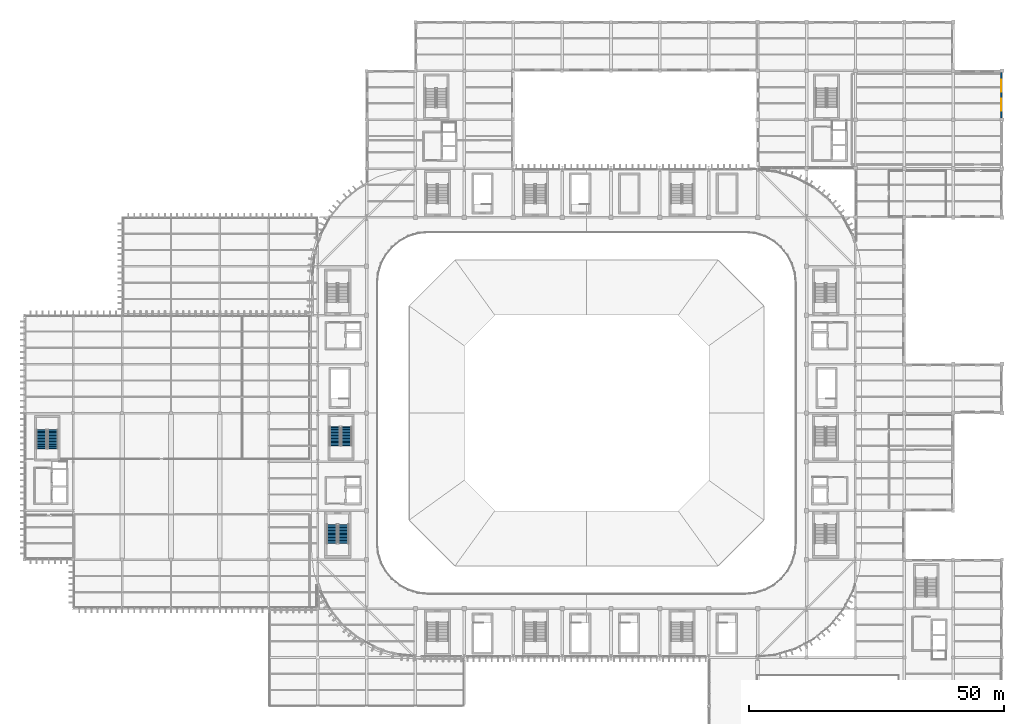
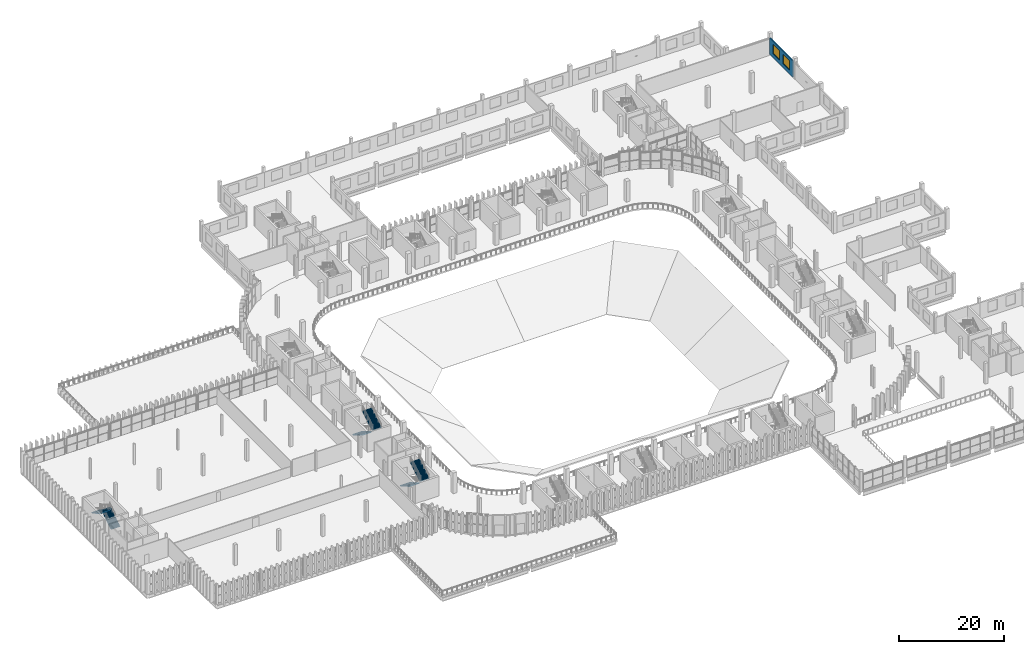
# One storey, part 69 of 99: 6 stair flights, 2 windows, 1 wall, 2 openings, 3 elements without a shape of their own.
"""IFC4 building model written with IfcOpenShell, lengths in metres."""

from ifc_helpers import new_model, si_unit, direction, frame, frame_2d, origin, place, context, subcontext, project, spatial, polyline, rectangle, outline, extrude, material, layer, layer_set, type_object, element, fill, aggregate, save


model = new_model("IFC4")

# Units and contexts
model_context = context("Model", 3, precision=1e-05, world=origin(), true_north=direction((0.0, 1.0)))
body_context = subcontext(model_context, "Body", "Model", "MODEL_VIEW")
ifc_project = project(units=[si_unit("LENGTHUNIT", "METRE"), si_unit("AREAUNIT", "SQUARE_METRE"), si_unit("VOLUMEUNIT", "CUBIC_METRE"), si_unit("PLANEANGLEUNIT", "RADIAN"), si_unit("MASSUNIT", "GRAM", prefix="KILO")], contexts=[model_context])

# Site, building, storey
site_placement = place(None, origin())
site = spatial("IfcSite", under=ifc_project, at=site_placement, CompositionType="ELEMENT")
building_placement = place(site_placement, origin())
building = spatial("IfcBuilding", under=site, at=building_placement, Name="Caelomonte Colonnade Arena", CompositionType="ELEMENT")
storey_placement = place(building_placement, frame((0.0, 0.0, 4.800048828125)))
storey = spatial("IfcBuildingStorey", under=building, at=storey_placement, Name="L01", CompositionType="ELEMENT", Elevation=4.800048828125)

# Wall, openings, windows
ifc_material_1 = material(Name="Precast concrete C40/50", Category="concrete")
ifc_layer = layer(ifc_material_1, 0.2900390625)
ifc_layer_set = layer_set([ifc_layer], Name="Precast concrete C40/50")
wall_type = type_object("IfcWallType", Name="ENV-WL-EXT29", PredefinedType="SOLIDWALL", material=ifc_layer_set)
wall_placement = place(storey_placement, frame((191.820068359375, 125.155029296875, 0.0), z_axis=(0.0, 0.0, 1.0), x_axis=(0.0, 1.0, 0.0)))
wall = element("IfcWall", 1, at=wall_placement, inside=storey, type_object=wall_type, Name="L01 exterior wall EW-L01-0204", PredefinedType="SOLIDWALL", context=body_context, shape_type="SweptSolid", body=[
    extrude(rectangle(XDim=8.889892578125, YDim=0.2900390625, at=frame_2d((4.44482421875, 0.0))), origin(), (0.0, 0.0, 1.0), 3.77001953125),
])
opening_1_placement = place(wall_placement, frame((3.76318359375, 0.0, 0.949951171875), z_axis=(0.0, 0.0, 1.0), x_axis=(-1.0, 0.0, 0.0)))
opening_1 = element("IfcOpeningElement", 2, at=opening_1_placement, cuts=wall, Name="Opening WN-04", PredefinedType="OPENING", context=body_context, shape_type="SweptSolid", body=[
    extrude(rectangle(XDim=2.39990234375, YDim=2.199951171875, at=frame_2d((1.199951171875, 1.10009765625))), frame((0.0, 0.155029296875, 0.0), z_axis=(0.0, -1.0, 0.0), x_axis=(1.0, 0.0, 0.0)), (0.0, 0.0, 1.0), 0.31005859375),
])
opening_2_placement = place(wall_placement, frame((7.526611328125, 0.0, 0.949951171875), z_axis=(0.0, 0.0, 1.0), x_axis=(-1.0, 0.0, 0.0)))
opening_2 = element("IfcOpeningElement", 3, at=opening_2_placement, cuts=wall, Name="Opening WN-04", PredefinedType="OPENING", context=body_context, shape_type="SweptSolid", body=[
    extrude(rectangle(XDim=2.39990234375, YDim=2.199951171875, at=frame_2d((1.199951171875, 1.10009765625))), frame((0.0, 0.155029296875, 0.0), z_axis=(0.0, -1.0, 0.0), x_axis=(1.0, 0.0, 0.0)), (0.0, 0.0, 1.0), 0.31005859375),
])
ifc_material_2 = material(Name="Solar-control bronze low-E double glazing", Category="glass")
window_type = type_object("IfcWindowType", Name="ENV-WN-V4A", PartitioningType="DOUBLE_PANEL_VERTICAL", PredefinedType="WINDOW", material=ifc_material_2)
window_1_placement = place(opening_1_placement, origin())
window_1 = element("IfcWindow", 4, at=window_1_placement, inside=storey, type_object=window_type, Name="L01 facade window 106", OverallHeight=2.199951171875, OverallWidth=2.39990234375, PartitioningType="SINGLE_PANEL", PredefinedType="WINDOW", context=body_context, shape_type="SweptSolid", body=[
    extrude(rectangle(XDim=2.39990234375, YDim=2.199951171875, at=frame_2d((1.199951171875, 1.10009765625))), frame((0.0, 0.030029296875, 0.0), z_axis=(0.0, -1.0, 0.0), x_axis=(1.0, 0.0, 0.0)), (0.0, 0.0, 1.0), 0.06005859375),
])
fill(opening_1, window_1)
window_2_placement = place(opening_2_placement, origin())
window_2 = element("IfcWindow", 5, at=window_2_placement, inside=storey, type_object=window_type, Name="L01 facade window 107", OverallHeight=2.199951171875, OverallWidth=2.39990234375, PartitioningType="SINGLE_PANEL", PredefinedType="WINDOW", context=body_context, shape_type="SweptSolid", body=[
    extrude(rectangle(XDim=2.39990234375, YDim=2.199951171875, at=frame_2d((1.199951171875, 1.10009765625))), frame((0.0, 0.030029296875, 0.0), z_axis=(0.0, -1.0, 0.0), x_axis=(1.0, 0.0, 0.0)), (0.0, 0.0, 1.0), 0.06005859375),
])
fill(opening_2, window_2)

# Stair, stair flights
ifc_material_3 = material(Name="Concrete C40/50", Category="concrete")
stair_type_1 = type_object("IfcStairType", Name="INT-ST-CORE48", PredefinedType="HALF_TURN_STAIR", material=ifc_material_3)
stair_1_placement = place(storey_placement, origin())
stair_1 = element("IfcStair", 6, at=stair_1_placement, inside=storey, type_object=stair_type_1, Name="L01 Protected exit stair ST-09", PredefinedType="HALF_TURN_STAIR")
stair_flight_type_1 = type_object("IfcStairFlightType", Name="INT-SF-CORE48", PredefinedType="STRAIGHT", material=ifc_material_3)
stair_flight_1_placement = place(storey_placement, frame((61.02490234375, 64.5, 0.0), z_axis=(0.0, 0.0, 1.0), x_axis=(0.0, -1.0, 0.0)))
stair_flight_1 = element("IfcStairFlight", 7, at=stair_flight_1_placement, type_object=stair_flight_type_1, Name="ST-09 flight 1", NumberOfRisers=14, NumberOfTreads=13, PredefinedType="STRAIGHT", RiserHeight=0.171428571, TreadLength=0.285, context=body_context, shape_type="SweptSolid", body=[
    extrude(outline(polyline([(-0.02490234375, 0.0), (-0.02490234375, 0.102783203125), (0.0, 0.102783203125), (0.0, 0.17138671875), (0.284912109375, 0.17138671875), (0.284912109375, 0.3427734375), (0.570068359375, 0.3427734375), (0.570068359375, 0.514404296875), (0.85498046875, 0.514404296875), (0.85498046875, 0.685791015625), (1.139892578125, 0.685791015625), (1.139892578125, 0.857177734375), (1.425048828125, 0.857177734375), (1.425048828125, 1.028564453125), (1.7099609375, 1.028564453125), (1.7099609375, 1.199951171875), (1.9951171875, 1.199951171875), (1.9951171875, 1.371337890625), (2.280029296875, 1.371337890625), (2.280029296875, 1.54296875), (2.56494140625, 1.54296875), (2.56494140625, 1.71435546875), (2.85009765625, 1.71435546875), (2.85009765625, 1.8857421875), (3.135009765625, 1.8857421875), (3.135009765625, 2.05712890625), (3.419921875, 2.05712890625), (3.419921875, 2.228515625), (3.705078125, 2.228515625), (3.705078125, 2.39990234375), (3.72998046875, 2.39990234375), (3.72998046875, 2.0537109375), (0.290771484375, 0.0), (-0.02490234375, 0.0)])), frame((0.0, 1.02490234375, 0.0), z_axis=(0.0, -1.0, 0.0), x_axis=(1.0, 0.0, 0.0)), (0.0, 0.0, 1.0), 2.050048828125),
])
stair_flight_2_placement = place(storey_placement, frame((63.27490234375, 60.794921875, 2.39990234375), z_axis=(0.0, 0.0, 1.0), x_axis=(0.0, 1.0, 0.0)))
stair_flight_2 = element("IfcStairFlight", 8, at=stair_flight_2_placement, type_object=stair_flight_type_1, Name="ST-09 flight 2", NumberOfRisers=14, NumberOfTreads=13, PredefinedType="STRAIGHT", RiserHeight=0.171428571, TreadLength=0.285, context=body_context, shape_type="SweptSolid", body=[
    extrude(outline(polyline([(-0.02490234375, 0.0), (-0.02490234375, 0.102783203125), (0.0, 0.102783203125), (0.0, 0.17138671875), (0.284912109375, 0.17138671875), (0.284912109375, 0.3427734375), (0.570068359375, 0.3427734375), (0.570068359375, 0.514404296875), (0.85498046875, 0.514404296875), (0.85498046875, 0.685791015625), (1.139892578125, 0.685791015625), (1.139892578125, 0.857177734375), (1.425048828125, 0.857177734375), (1.425048828125, 1.028564453125), (1.7099609375, 1.028564453125), (1.7099609375, 1.199951171875), (1.9951171875, 1.199951171875), (1.9951171875, 1.371337890625), (2.280029296875, 1.371337890625), (2.280029296875, 1.54296875), (2.56494140625, 1.54296875), (2.56494140625, 1.71435546875), (2.85009765625, 1.71435546875), (2.85009765625, 1.8857421875), (3.135009765625, 1.8857421875), (3.135009765625, 2.05712890625), (3.419921875, 2.05712890625), (3.419921875, 2.228515625), (3.705078125, 2.228515625), (3.705078125, 2.39990234375), (3.72998046875, 2.39990234375), (3.72998046875, 2.0537109375), (0.290771484375, 0.0), (-0.02490234375, 0.0)])), frame((0.0, 1.02490234375, 0.0), z_axis=(0.0, -1.0, 0.0), x_axis=(1.0, 0.0, 0.0)), (0.0, 0.0, 1.0), 2.050048828125),
])
aggregate(stair_1, [stair_flight_1, stair_flight_2])

stair_type_2 = type_object("IfcStairType", Name="INT-ST-WING48", PredefinedType="HALF_TURN_STAIR", material=ifc_material_3)
stair_2_placement = place(storey_placement, origin())
stair_2 = element("IfcStair", 9, at=stair_2_placement, inside=storey, type_object=stair_type_2, Name="L01 Core C1 exit stair ST-01", PredefinedType="HALF_TURN_STAIR")
stair_flight_type_2 = type_object("IfcStairFlightType", Name="INT-SF-WING48", PredefinedType="STRAIGHT", material=ifc_material_3)
stair_flight_3_placement = place(storey_placement, frame((60.425048828125, 45.300048828125, 0.0), z_axis=(0.0, 0.0, 1.0), x_axis=(0.0, -1.0, 0.0)))
stair_flight_3 = element("IfcStairFlight", 10, at=stair_flight_3_placement, type_object=stair_flight_type_2, Name="ST-01 flight 1", NumberOfRisers=14, NumberOfTreads=13, PredefinedType="STRAIGHT", RiserHeight=0.171428571, TreadLength=0.285, context=body_context, shape_type="SweptSolid", body=[
    extrude(outline(polyline([(-0.02490234375, 0.0), (-0.02490234375, 0.102783203125), (0.0, 0.102783203125), (0.0, 0.17138671875), (0.284912109375, 0.17138671875), (0.284912109375, 0.3427734375), (0.570068359375, 0.3427734375), (0.570068359375, 0.514404296875), (0.85498046875, 0.514404296875), (0.85498046875, 0.685791015625), (1.139892578125, 0.685791015625), (1.139892578125, 0.857177734375), (1.425048828125, 0.857177734375), (1.425048828125, 1.028564453125), (1.7099609375, 1.028564453125), (1.7099609375, 1.199951171875), (1.9951171875, 1.199951171875), (1.9951171875, 1.371337890625), (2.280029296875, 1.371337890625), (2.280029296875, 1.54296875), (2.56494140625, 1.54296875), (2.56494140625, 1.71435546875), (2.85009765625, 1.71435546875), (2.85009765625, 1.8857421875), (3.135009765625, 1.8857421875), (3.135009765625, 2.05712890625), (3.419921875, 2.05712890625), (3.419921875, 2.228515625), (3.705078125, 2.228515625), (3.705078125, 2.39990234375), (3.72998046875, 2.39990234375), (3.72998046875, 2.0537109375), (0.290771484375, 0.0), (-0.02490234375, 0.0)])), frame((0.0, 1.02490234375, 0.0), z_axis=(0.0, -1.0, 0.0), x_axis=(1.0, 0.0, 0.0)), (0.0, 0.0, 1.0), 2.050048828125),
])
stair_flight_4_placement = place(storey_placement, frame((62.675048828125, 41.594970703125, 2.39990234375), z_axis=(0.0, 0.0, 1.0), x_axis=(0.0, 1.0, 0.0)))
stair_flight_4 = element("IfcStairFlight", 11, at=stair_flight_4_placement, type_object=stair_flight_type_2, Name="ST-01 flight 2", NumberOfRisers=14, NumberOfTreads=13, PredefinedType="STRAIGHT", RiserHeight=0.171428571, TreadLength=0.285, context=body_context, shape_type="SweptSolid", body=[
    extrude(outline(polyline([(-0.02490234375, 0.0), (-0.02490234375, 0.102783203125), (0.0, 0.102783203125), (0.0, 0.17138671875), (0.284912109375, 0.17138671875), (0.284912109375, 0.3427734375), (0.570068359375, 0.3427734375), (0.570068359375, 0.514404296875), (0.85498046875, 0.514404296875), (0.85498046875, 0.685791015625), (1.139892578125, 0.685791015625), (1.139892578125, 0.857177734375), (1.425048828125, 0.857177734375), (1.425048828125, 1.028564453125), (1.7099609375, 1.028564453125), (1.7099609375, 1.199951171875), (1.9951171875, 1.199951171875), (1.9951171875, 1.371337890625), (2.280029296875, 1.371337890625), (2.280029296875, 1.54296875), (2.56494140625, 1.54296875), (2.56494140625, 1.71435546875), (2.85009765625, 1.71435546875), (2.85009765625, 1.8857421875), (3.135009765625, 1.8857421875), (3.135009765625, 2.05712890625), (3.419921875, 2.05712890625), (3.419921875, 2.228515625), (3.705078125, 2.228515625), (3.705078125, 2.39990234375), (3.72998046875, 2.39990234375), (3.72998046875, 2.0537109375), (0.290771484375, 0.0), (-0.02490234375, 0.0)])), frame((0.0, 1.02490234375, 0.0), z_axis=(0.0, -1.0, 0.0), x_axis=(1.0, 0.0, 0.0)), (0.0, 0.0, 1.0), 2.050048828125),
])
aggregate(stair_2, [stair_flight_3, stair_flight_4])

stair_3_placement = place(storey_placement, origin())
stair_3 = element("IfcStair", 12, at=stair_3_placement, inside=storey, type_object=stair_type_2, Name="L01 Core C8 exit stair ST-08", PredefinedType="HALF_TURN_STAIR")
stair_flight_5_placement = place(storey_placement, frame((5.60009765625, 60.199951171875, 0.0), z_axis=(0.0, 0.0, 1.0), x_axis=(0.0, 1.0, 0.0)))
stair_flight_5 = element("IfcStairFlight", 13, at=stair_flight_5_placement, type_object=stair_flight_type_2, Name="ST-08 flight 1", NumberOfRisers=14, NumberOfTreads=13, PredefinedType="STRAIGHT", RiserHeight=0.171428571, TreadLength=0.285, context=body_context, shape_type="SweptSolid", body=[
    extrude(outline(polyline([(-0.02490234375, 0.0), (-0.02490234375, 0.102783203125), (0.0, 0.102783203125), (0.0, 0.17138671875), (0.284912109375, 0.17138671875), (0.284912109375, 0.3427734375), (0.570068359375, 0.3427734375), (0.570068359375, 0.514404296875), (0.85498046875, 0.514404296875), (0.85498046875, 0.685791015625), (1.139892578125, 0.685791015625), (1.139892578125, 0.857177734375), (1.425048828125, 0.857177734375), (1.425048828125, 1.028564453125), (1.7099609375, 1.028564453125), (1.7099609375, 1.199951171875), (1.9951171875, 1.199951171875), (1.9951171875, 1.371337890625), (2.280029296875, 1.371337890625), (2.280029296875, 1.54296875), (2.56494140625, 1.54296875), (2.56494140625, 1.71435546875), (2.85009765625, 1.71435546875), (2.85009765625, 1.8857421875), (3.135009765625, 1.8857421875), (3.135009765625, 2.05712890625), (3.419921875, 2.05712890625), (3.419921875, 2.228515625), (3.705078125, 2.228515625), (3.705078125, 2.39990234375), (3.72998046875, 2.39990234375), (3.72998046875, 2.0537109375), (0.290771484375, 0.0), (-0.02490234375, 0.0)])), frame((0.0, 1.0, 0.0), z_axis=(0.0, -1.0, 0.0), x_axis=(1.0, 0.0, 0.0)), (0.0, 0.0, 1.0), 2.0),
])
stair_flight_6_placement = place(storey_placement, frame((3.39990234375, 63.905029296875, 2.39990234375), z_axis=(0.0, 0.0, 1.0), x_axis=(0.0, -1.0, 0.0)))
stair_flight_6 = element("IfcStairFlight", 14, at=stair_flight_6_placement, type_object=stair_flight_type_2, Name="ST-08 flight 2", NumberOfRisers=14, NumberOfTreads=13, PredefinedType="STRAIGHT", RiserHeight=0.171428571, TreadLength=0.285, context=body_context, shape_type="SweptSolid", body=[
    extrude(outline(polyline([(-0.02490234375, 0.0), (-0.02490234375, 0.102783203125), (0.0, 0.102783203125), (0.0, 0.17138671875), (0.284912109375, 0.17138671875), (0.284912109375, 0.3427734375), (0.570068359375, 0.3427734375), (0.570068359375, 0.514404296875), (0.85498046875, 0.514404296875), (0.85498046875, 0.685791015625), (1.139892578125, 0.685791015625), (1.139892578125, 0.857177734375), (1.425048828125, 0.857177734375), (1.425048828125, 1.028564453125), (1.7099609375, 1.028564453125), (1.7099609375, 1.199951171875), (1.9951171875, 1.199951171875), (1.9951171875, 1.371337890625), (2.280029296875, 1.371337890625), (2.280029296875, 1.54296875), (2.56494140625, 1.54296875), (2.56494140625, 1.71435546875), (2.85009765625, 1.71435546875), (2.85009765625, 1.8857421875), (3.135009765625, 1.8857421875), (3.135009765625, 2.05712890625), (3.419921875, 2.05712890625), (3.419921875, 2.228515625), (3.705078125, 2.228515625), (3.705078125, 2.39990234375), (3.72998046875, 2.39990234375), (3.72998046875, 2.0537109375), (0.290771484375, 0.0), (-0.02490234375, 0.0)])), frame((0.0, 1.0, 0.0), z_axis=(0.0, -1.0, 0.0), x_axis=(1.0, 0.0, 0.0)), (0.0, 0.0, 1.0), 2.0),
])
aggregate(stair_3, [stair_flight_5, stair_flight_6])

save(model, "model.ifc")
